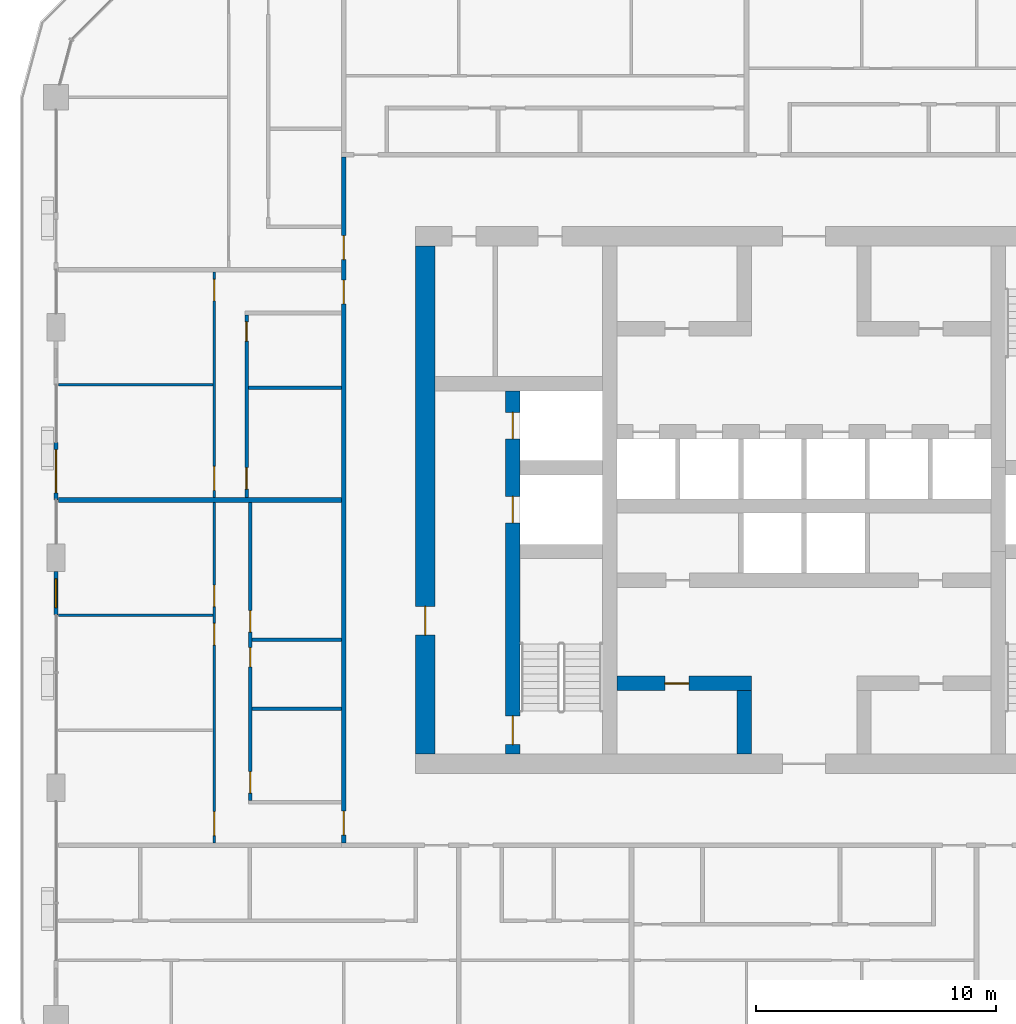
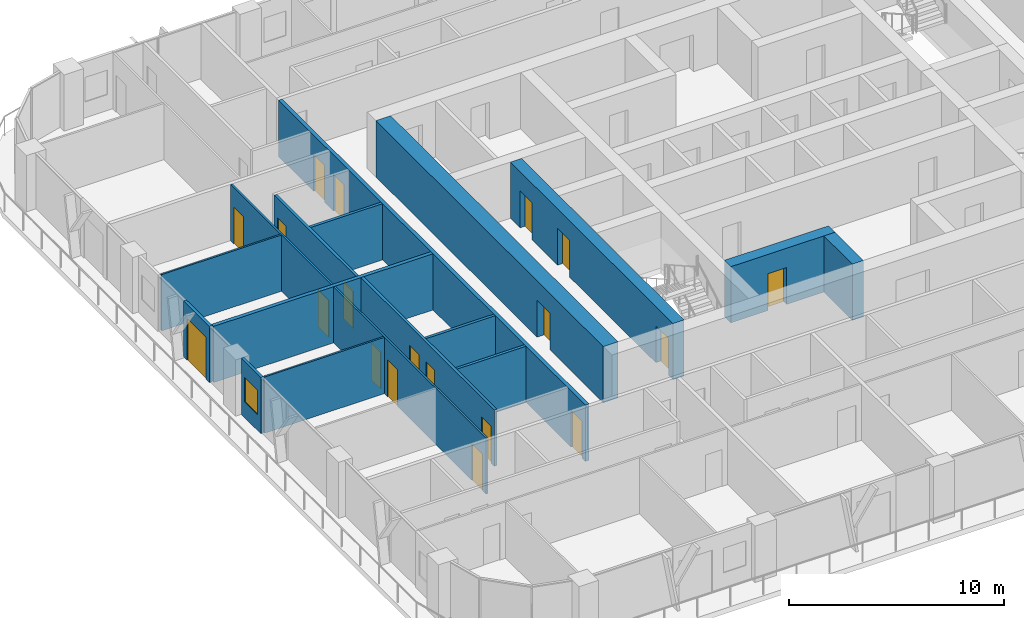
# One storey, part 10 of 22: 19 doors, 17 walls, 1 window, 20 openings.
"""IFC4 building model written with IfcOpenShell, lengths in metres."""

from ifc_helpers import new_model, si_unit, direction, frame, frame_2d, origin, place, context, subcontext, project, spatial, rectangle, extrude, material, layer, layer_set, type_object, element, fill, save


model = new_model("IFC4")

# Units and contexts
model_context = context("Model", 3, precision=1e-05, world=origin(), true_north=direction((0.0, 1.0)))
body_context = subcontext(model_context, "Body", "Model", "MODEL_VIEW")
ifc_project = project(units=[si_unit("LENGTHUNIT", "METRE"), si_unit("AREAUNIT", "SQUARE_METRE"), si_unit("VOLUMEUNIT", "CUBIC_METRE"), si_unit("PLANEANGLEUNIT", "RADIAN"), si_unit("MASSUNIT", "GRAM", prefix="KILO")], contexts=[model_context])

# Site, building, storey
site_placement = place(None, origin())
site = spatial("IfcSite", under=ifc_project, at=site_placement, CompositionType="ELEMENT")
building_placement = place(site_placement, origin())
building = spatial("IfcBuilding", under=site, at=building_placement, Name="Madar Terraces", CompositionType="ELEMENT")
storey_placement = place(building_placement, frame((0.0, 0.0, 163.0)))
storey = spatial("IfcBuildingStorey", under=building, at=storey_placement, Name="L42", CompositionType="ELEMENT", Elevation=163.0)

# Wall, openings, doors
ifc_material_1 = material(Name="Concrete C70/85", Category="concrete")
ifc_layer_1 = layer(ifc_material_1, 0.60009765625)
ifc_layer_set_1 = layer_set([ifc_layer_1], Name="Concrete C70/85 (CIW3 RC wall 600)")
wall_type_1 = type_object("IfcWallType", Name="CIW3 RC wall 600", PredefinedType="SHEAR", material=ifc_layer_set_1)
wall_1_placement = place(storey_placement, frame((19.050048828125, 15.800048828125, 0.0), z_axis=(0.0, 0.0, 1.0), x_axis=(0.0, 1.0, 0.0)))
wall_1 = element("IfcWall", 1, at=wall_1_placement, inside=storey, type_object=wall_type_1, Name="CORE SHAFT WALL", PredefinedType="SHEAR", context=body_context, shape_type="SweptSolid", body=[
    extrude(rectangle(XDim=15.14990234375, YDim=0.60009765625, at=frame_2d((7.574951171875, 0.0))), origin(), (0.0, 0.0, 1.0), 3.199951171875),
])
opening_1_placement = place(wall_1_placement, frame((9.64990234375, 0.0, 0.0)))
opening_1 = element("IfcOpeningElement", 2, at=opening_1_placement, cuts=wall_1, Name="Opening LD", PredefinedType="OPENING", context=body_context, shape_type="SweptSolid", body=[
    extrude(rectangle(XDim=1.10009765625, YDim=2.10009765625, at=frame_2d((0.550048828125, 1.050048828125))), frame((0.0, 0.31005859375, 0.0), z_axis=(0.0, -1.0, 0.0), x_axis=(1.0, 0.0, 0.0)), (0.0, 0.0, 1.0), 0.6201171875),
])
opening_2_placement = place(wall_1_placement, frame((13.14990234375, 0.0, 0.0)))
opening_2 = element("IfcOpeningElement", 3, at=opening_2_placement, cuts=wall_1, Name="Opening LD", PredefinedType="OPENING", context=body_context, shape_type="SweptSolid", body=[
    extrude(rectangle(XDim=1.10009765625, YDim=2.10009765625, at=frame_2d((0.550048828125, 1.050048828125))), frame((0.0, 0.31005859375, 0.0), z_axis=(0.0, -1.0, 0.0), x_axis=(1.0, 0.0, 0.0)), (0.0, 0.0, 1.0), 0.6201171875),
])
opening_3_placement = place(wall_1_placement, frame((0.39990234375, 0.0, 0.0)))
opening_3 = element("IfcOpeningElement", 4, at=opening_3_placement, cuts=wall_1, Name="Opening SD1", PredefinedType="OPENING", context=body_context, shape_type="SweptSolid", body=[
    extrude(rectangle(XDim=1.199951171875, YDim=2.10009765625, at=frame_2d((0.60009765625, 1.050048828125))), frame((0.0, 0.31005859375, 0.0), z_axis=(0.0, -1.0, 0.0), x_axis=(1.0, 0.0, 0.0)), (0.0, 0.0, 1.0), 0.6201171875),
])
ifc_material_2 = material(Name="Stainless steel panel", Category="steel")
door_type_1 = type_object("IfcDoorType", Name="Lift landing door 1100 x 2100", OperationType="DOUBLE_DOOR_SLIDING", PredefinedType="DOOR", material=ifc_material_2)
door_1_placement = place(opening_1_placement, origin())
door_1 = element("IfcDoor", 5, at=door_1_placement, inside=storey, type_object=door_type_1, Name="LIFT LANDING DOOR", OperationType="DOUBLE_DOOR_SLIDING", OverallHeight=2.10009765625, OverallWidth=1.10009765625, PredefinedType="DOOR", context=body_context, shape_type="SweptSolid", body=[
    extrude(rectangle(XDim=1.10009765625, YDim=2.10009765625, at=frame_2d((0.550048828125, 1.050048828125))), frame((0.0, 0.02490234375, 0.0), z_axis=(0.0, -1.0, 0.0), x_axis=(1.0, 0.0, 0.0)), (0.0, 0.0, 1.0), 0.050048828125),
])
fill(opening_1, door_1)
door_2_placement = place(opening_2_placement, origin())
door_2 = element("IfcDoor", 6, at=door_2_placement, inside=storey, type_object=door_type_1, Name="LIFT LANDING DOOR", OperationType="DOUBLE_DOOR_SLIDING", OverallHeight=2.10009765625, OverallWidth=1.10009765625, PredefinedType="DOOR", context=body_context, shape_type="SweptSolid", body=[
    extrude(rectangle(XDim=1.10009765625, YDim=2.10009765625, at=frame_2d((0.550048828125, 1.050048828125))), frame((0.0, 0.02490234375, 0.0), z_axis=(0.0, -1.0, 0.0), x_axis=(1.0, 0.0, 0.0)), (0.0, 0.0, 1.0), 0.050048828125),
])
fill(opening_2, door_2)
ifc_material_3 = material(Name="Steel door leaf", Category="steel")
door_type_2 = type_object("IfcDoorType", Name="Stair door 1200 x 2100", OperationType="NOTDEFINED", PredefinedType="DOOR", material=ifc_material_3)
door_3_placement = place(opening_3_placement, frame((1.199951171875, 0.0, 0.0), z_axis=(0.0, 0.0, 1.0), x_axis=(-1.0, 0.0, 0.0)))
door_3 = element("IfcDoor", 7, at=door_3_placement, inside=storey, type_object=door_type_2, Name="STAIR DOOR", OperationType="SINGLE_SWING_RIGHT", OverallHeight=2.10009765625, OverallWidth=1.199951171875, PredefinedType="DOOR", context=body_context, shape_type="SweptSolid", body=[
    extrude(rectangle(XDim=1.199951171875, YDim=2.10009765625, at=frame_2d((0.60009765625, 1.050048828125))), frame((0.0, 0.02490234375, 0.0), z_axis=(0.0, -1.0, 0.0), x_axis=(1.0, 0.0, 0.0)), (0.0, 0.0, 1.0), 0.050048828125),
])
fill(opening_3, door_3)

# Wall, opening, door
wall_2_placement = place(storey_placement, frame((23.39990234375, 18.75, 0.0), z_axis=(0.0, 0.0, 1.0), x_axis=(1.0, 0.0, 0.0)))
wall_2 = element("IfcWall", 8, at=wall_2_placement, inside=storey, type_object=wall_type_1, Name="CORE SHAFT WALL", PredefinedType="SHEAR", context=body_context, shape_type="SweptSolid", body=[
    extrude(rectangle(XDim=5.60009765625, YDim=0.60009765625, at=frame_2d((2.800048828125, 0.0))), origin(), (0.0, 0.0, 1.0), 3.199951171875),
])
opening_4_placement = place(wall_2_placement, frame((2.0, 0.0, 0.0)))
opening_4 = element("IfcOpeningElement", 9, at=opening_4_placement, cuts=wall_2, Name="Opening KD2", PredefinedType="OPENING", context=body_context, shape_type="SweptSolid", body=[
    extrude(rectangle(XDim=1.0, YDim=2.10009765625, at=frame_2d((0.5, 1.050048828125))), frame((0.0, 0.31005859375, 0.0), z_axis=(0.0, -1.0, 0.0), x_axis=(1.0, 0.0, 0.0)), (0.0, 0.0, 1.0), 0.6201171875),
])
ifc_material_4 = material(Name="Steel door leaf", Category="steel")
door_type_3 = type_object("IfcDoorType", Name="Service room door 1000 x 2100", OperationType="NOTDEFINED", PredefinedType="DOOR", material=ifc_material_4)
door_4_placement = place(opening_4_placement, origin())
door_4 = element("IfcDoor", 10, at=door_4_placement, inside=storey, type_object=door_type_3, Name="SERVICE ROOM DOOR", OperationType="SINGLE_SWING_LEFT", OverallHeight=2.10009765625, OverallWidth=1.0, PredefinedType="DOOR", context=body_context, shape_type="SweptSolid", body=[
    extrude(rectangle(XDim=1.0, YDim=2.10009765625, at=frame_2d((0.5, 1.050048828125))), frame((0.0, 0.02490234375, 0.0), z_axis=(0.0, -1.0, 0.0), x_axis=(1.0, 0.0, 0.0)), (0.0, 0.0, 1.0), 0.050048828125),
])
fill(opening_4, door_4)

# Wall
wall_3_placement = place(storey_placement, frame((28.699951171875, 15.800048828125, 0.0), z_axis=(0.0, 0.0, 1.0), x_axis=(0.0, 1.0, 0.0)))
element("IfcWall", 11, at=wall_3_placement, inside=storey, type_object=wall_type_1, Name="CORE SHAFT WALL", PredefinedType="SHEAR", context=body_context, shape_type="SweptSolid", body=[
    extrude(rectangle(XDim=2.64990234375, YDim=0.60009765625, at=frame_2d((1.324951171875, 0.0))), origin(), (0.0, 0.0, 1.0), 3.199951171875),
])

# Wall, opening, door
ifc_material_5 = material(Name="Concrete C70/85", Category="concrete")
ifc_layer_2 = layer(ifc_material_5, 0.800048828125)
ifc_layer_set_2 = layer_set([ifc_layer_2], Name="Concrete C70/85 (CRW3 RC wall 800)")
wall_type_2 = type_object("IfcWallType", Name="CRW3 RC wall 800", PredefinedType="SHEAR", material=ifc_layer_set_2)
wall_4_placement = place(storey_placement, frame((15.39990234375, 15.800048828125, 0.0), z_axis=(0.0, 0.0, 1.0), x_axis=(0.0, 1.0, 0.0)))
wall_4 = element("IfcWall", 12, at=wall_4_placement, inside=storey, type_object=wall_type_2, Name="CORE OUTER WALL", PredefinedType="SHEAR", context=body_context, shape_type="SweptSolid", body=[
    extrude(rectangle(XDim=21.199951171875, YDim=0.800048828125, at=frame_2d((10.60009765625, 0.0))), origin(), (0.0, 0.0, 1.0), 3.199951171875),
])
opening_5_placement = place(wall_4_placement, frame((4.9599609375, 0.0, 0.0)))
opening_5 = element("IfcOpeningElement", 13, at=opening_5_placement, cuts=wall_4, Name="Opening SD1", PredefinedType="OPENING", context=body_context, shape_type="SweptSolid", body=[
    extrude(rectangle(XDim=1.199951171875, YDim=2.10009765625, at=frame_2d((0.60009765625, 1.050048828125))), frame((0.0, 0.409912109375, 0.0), z_axis=(0.0, -1.0, 0.0), x_axis=(1.0, 0.0, 0.0)), (0.0, 0.0, 1.0), 0.820068359375),
])
door_5_placement = place(opening_5_placement, frame((1.199951171875, 0.0, 0.0), z_axis=(0.0, 0.0, 1.0), x_axis=(-1.0, 0.0, 0.0)))
door_5 = element("IfcDoor", 14, at=door_5_placement, inside=storey, type_object=door_type_2, Name="STAIR DOOR", OperationType="SINGLE_SWING_LEFT", OverallHeight=2.10009765625, OverallWidth=1.199951171875, PredefinedType="DOOR", context=body_context, shape_type="SweptSolid", body=[
    extrude(rectangle(XDim=1.199951171875, YDim=2.10009765625, at=frame_2d((0.60009765625, 1.050048828125))), frame((0.0, 0.02490234375, 0.0), z_axis=(0.0, -1.0, 0.0), x_axis=(1.0, 0.0, 0.0)), (0.0, 0.0, 1.0), 0.050048828125),
])
fill(opening_5, door_5)

ifc_material_6 = material(Name="Aluminium composite panel, black, over insulated backing", Category="aluminium")
ifc_layer_3 = layer(ifc_material_6, 0.14990234375)
ifc_layer_set_3 = layer_set([ifc_layer_3], Name="Facade bay panel 150")
wall_type_3 = type_object("IfcWallType", Name="Facade bay panel 150", PredefinedType="SOLIDWALL", material=ifc_layer_set_3)
wall_5_placement = place(storey_placement, frame((0.0, 28.800048828125, 0.0), z_axis=(0.0, 0.0, 1.0), x_axis=(0.0, -1.0, 0.0)))
wall_5 = element("IfcWall", 15, at=wall_5_placement, inside=storey, type_object=wall_type_3, Name="Facade bay panel", PredefinedType="SOLIDWALL", context=body_context, shape_type="SweptSolid", body=[
    extrude(rectangle(XDim=2.400146484375, YDim=0.14990234375, at=frame_2d((1.2001953125, 0.0))), origin(), (0.0, 0.0, 1.0), 3.199951171875),
])
opening_6_placement = place(wall_5_placement, frame((0.300048828125, 0.0, 0.0)))
opening_6 = element("IfcOpeningElement", 16, at=opening_6_placement, cuts=wall_5, Name="Opening ED1", PredefinedType="OPENING", context=body_context, shape_type="SweptSolid", body=[
    extrude(rectangle(XDim=1.800048828125, YDim=2.39990234375, at=frame_2d((0.89990234375, 1.199951171875))), frame((0.0, 0.0849609375, 0.0), z_axis=(0.0, -1.0, 0.0), x_axis=(1.0, 0.0, 0.0)), (0.0, 0.0, 1.0), 0.169921875),
])
ifc_material_7 = material(Name="Glass, clear, with black aluminium frame", Category="aluminium")
door_type_4 = type_object("IfcDoorType", Name="Balcony and terrace sliding door 1800 x 2400", OperationType="SLIDING_TO_LEFT", PredefinedType="DOOR", material=ifc_material_7)
door_6_placement = place(opening_6_placement, origin())
door_6 = element("IfcDoor", 17, at=door_6_placement, inside=storey, type_object=door_type_4, Name="Balcony door", OperationType="SLIDING_TO_RIGHT", OverallHeight=2.39990234375, OverallWidth=1.800048828125, PredefinedType="DOOR", context=body_context, shape_type="SweptSolid", body=[
    extrude(rectangle(XDim=1.800048828125, YDim=2.39990234375, at=frame_2d((0.89990234375, 1.199951171875))), frame((0.0, 0.02490234375, 0.0), z_axis=(0.0, -1.0, 0.0), x_axis=(1.0, 0.0, 0.0)), (0.0, 0.0, 1.0), 0.050048828125),
])
fill(opening_6, door_6)

# Wall, opening, window
wall_6_placement = place(storey_placement, frame((0.0, 23.425048828125, 0.0), z_axis=(0.0, 0.0, 1.0), x_axis=(0.0, -1.0, 0.0)))
wall_6 = element("IfcWall", 18, at=wall_6_placement, inside=storey, type_object=wall_type_3, Name="Facade bay panel", PredefinedType="SOLIDWALL", context=body_context, shape_type="SweptSolid", body=[
    extrude(rectangle(XDim=1.824951171875, YDim=0.14990234375, at=frame_2d((0.91259765625, 0.0))), origin(), (0.0, 0.0, 1.0), 3.199951171875),
])
opening_7_placement = place(wall_6_placement, frame((0.3125, 0.0, 0.89990234375)))
opening_7 = element("IfcOpeningElement", 19, at=opening_7_placement, cuts=wall_6, Name="Opening W1", PredefinedType="OPENING", context=body_context, shape_type="SweptSolid", body=[
    extrude(rectangle(XDim=1.199951171875, YDim=1.39990234375, at=frame_2d((0.60009765625, 0.699951171875))), frame((0.0, 0.0849609375, 0.0), z_axis=(0.0, -1.0, 0.0), x_axis=(1.0, 0.0, 0.0)), (0.0, 0.0, 1.0), 0.169921875),
])
ifc_material_8 = material(Name="Glass, clear, with black aluminium frame", Category="aluminium")
window_type = type_object("IfcWindowType", Name="Vent window 1200 x 1400", PartitioningType="SINGLE_PANEL", PredefinedType="WINDOW", material=ifc_material_8)
window_placement = place(opening_7_placement, origin())
window = element("IfcWindow", 20, at=window_placement, inside=storey, type_object=window_type, Name="Operable vent window", OverallHeight=1.39990234375, OverallWidth=1.199951171875, PartitioningType="SINGLE_PANEL", PredefinedType="WINDOW", context=body_context, shape_type="SweptSolid", body=[
    extrude(rectangle(XDim=1.199951171875, YDim=1.39990234375, at=frame_2d((0.60009765625, 0.699951171875))), frame((0.0, 0.030029296875, 0.0), z_axis=(0.0, -1.0, 0.0), x_axis=(1.0, 0.0, 0.0)), (0.0, 0.0, 1.0), 0.06005859375),
])
fill(opening_7, window)

# Wall
ifc_material_9 = material(Name="Gypsum board on steel studs", Category="steel")
ifc_layer_4 = layer(ifc_material_9, 0.10009765625)
ifc_layer_set_4 = layer_set([ifc_layer_4], Name="Flat partition 100")
wall_type_4 = type_object("IfcWallType", Name="Flat partition 100", PredefinedType="PARTITIONING", material=ifc_layer_set_4)
wall_7_placement = place(storey_placement, frame((6.550048828125, 31.199951171875, 0.0), z_axis=(0.0, 0.0, 1.0), x_axis=(-1.0, 0.0, 0.0)))
element("IfcWall", 21, at=wall_7_placement, inside=storey, type_object=wall_type_4, Name="Flat partition 100", PredefinedType="PARTITIONING", context=body_context, shape_type="SweptSolid", body=[
    extrude(rectangle(XDim=6.449951171875, YDim=0.10009765625, at=frame_2d((3.22509765625, 0.0))), origin(), (0.0, 0.0, 1.0), 3.199951171875),
])

# Wall, openings, doors
wall_8_placement = place(storey_placement, frame((6.60009765625, 26.5, 0.0), z_axis=(0.0, 0.0, 1.0), x_axis=(0.0, 1.0, 0.0)))
wall_8 = element("IfcWall", 22, at=wall_8_placement, inside=storey, type_object=wall_type_4, Name="Flat partition 100", PredefinedType="PARTITIONING", context=body_context, shape_type="SweptSolid", body=[
    extrude(rectangle(XDim=9.39990234375, YDim=0.10009765625, at=frame_2d((4.699951171875, 0.0))), origin(), (0.0, 0.0, 1.0), 3.199951171875),
])
opening_8_placement = place(wall_8_placement, frame((8.199951171875, 0.0, 0.0)))
opening_8 = element("IfcOpeningElement", 23, at=opening_8_placement, cuts=wall_8, Name="Opening D2", PredefinedType="OPENING", context=body_context, shape_type="SweptSolid", body=[
    extrude(rectangle(XDim=0.89990234375, YDim=2.10009765625, at=frame_2d((0.449951171875, 1.050048828125))), frame((0.0, 0.06005859375, 0.0), z_axis=(0.0, -1.0, 0.0), x_axis=(1.0, 0.0, 0.0)), (0.0, 0.0, 1.0), 0.1201171875),
])
opening_9_placement = place(wall_8_placement, frame((0.300048828125, 0.0, 0.0)))
opening_9 = element("IfcOpeningElement", 24, at=opening_9_placement, cuts=wall_8, Name="Opening D3", PredefinedType="OPENING", context=body_context, shape_type="SweptSolid", body=[
    extrude(rectangle(XDim=1.0, YDim=2.10009765625, at=frame_2d((0.5, 1.050048828125))), frame((0.0, 0.06005859375, 0.0), z_axis=(0.0, -1.0, 0.0), x_axis=(1.0, 0.0, 0.0)), (0.0, 0.0, 1.0), 0.1201171875),
])
ifc_material_10 = material(Name="Timber door leaf", Category="wood")
door_type_5 = type_object("IfcDoorType", Name="Flat living room door 1000", OperationType="NOTDEFINED", PredefinedType="DOOR", material=ifc_material_10)
door_7_placement = place(opening_9_placement, origin())
door_7 = element("IfcDoor", 25, at=door_7_placement, inside=storey, type_object=door_type_5, Name="Flat living room door 1000", OperationType="SINGLE_SWING_LEFT", OverallHeight=2.10009765625, OverallWidth=1.0, PredefinedType="DOOR", context=body_context, shape_type="SweptSolid", body=[
    extrude(rectangle(XDim=1.0, YDim=2.10009765625, at=frame_2d((0.5, 1.050048828125))), frame((0.0, 0.02490234375, 0.0), z_axis=(0.0, -1.0, 0.0), x_axis=(1.0, 0.0, 0.0)), (0.0, 0.0, 1.0), 0.050048828125),
])
fill(opening_9, door_7)
ifc_material_11 = material(Name="Timber door leaf", Category="wood")
door_type_6 = type_object("IfcDoorType", Name="Flat room door 900", OperationType="NOTDEFINED", PredefinedType="DOOR", material=ifc_material_11)
door_8_placement = place(opening_8_placement, origin())
door_8 = element("IfcDoor", 26, at=door_8_placement, inside=storey, type_object=door_type_6, Name="Flat room door 900", OperationType="SINGLE_SWING_RIGHT", OverallHeight=2.10009765625, OverallWidth=0.89990234375, PredefinedType="DOOR", context=body_context, shape_type="SweptSolid", body=[
    extrude(rectangle(XDim=0.89990234375, YDim=2.10009765625, at=frame_2d((0.449951171875, 1.050048828125))), frame((0.0, 0.02490234375, 0.0), z_axis=(0.0, -1.0, 0.0), x_axis=(1.0, 0.0, 0.0)), (0.0, 0.0, 1.0), 0.050048828125),
])
fill(opening_8, door_8)

# Wall
wall_9_placement = place(storey_placement, frame((6.550048828125, 21.60009765625, 0.0), z_axis=(0.0, 0.0, 1.0), x_axis=(-1.0, 0.0, 0.0)))
element("IfcWall", 27, at=wall_9_placement, inside=storey, type_object=wall_type_4, Name="Flat partition 100", PredefinedType="PARTITIONING", context=body_context, shape_type="SweptSolid", body=[
    extrude(rectangle(XDim=6.449951171875, YDim=0.10009765625, at=frame_2d((3.22509765625, 0.0))), origin(), (0.0, 0.0, 1.0), 3.199951171875),
])

# Wall, openings, doors
wall_10_placement = place(storey_placement, frame((6.60009765625, 12.10009765625, 0.0), z_axis=(0.0, 0.0, 1.0), x_axis=(0.0, 1.0, 0.0)))
wall_10 = element("IfcWall", 28, at=wall_10_placement, inside=storey, type_object=wall_type_4, Name="Flat partition 100", PredefinedType="PARTITIONING", context=body_context, shape_type="SweptSolid", body=[
    extrude(rectangle(XDim=14.199951171875, YDim=0.10009765625, at=frame_2d((7.10009765625, 0.0))), origin(), (0.0, 0.0, 1.0), 3.199951171875),
])
opening_10_placement = place(wall_10_placement, frame((0.300048828125, 0.0, 0.0)))
opening_10 = element("IfcOpeningElement", 29, at=opening_10_placement, cuts=wall_10, Name="Opening D3", PredefinedType="OPENING", context=body_context, shape_type="SweptSolid", body=[
    extrude(rectangle(XDim=1.0, YDim=2.10009765625, at=frame_2d((0.5, 1.050048828125))), frame((0.0, 0.06005859375, 0.0), z_axis=(0.0, -1.0, 0.0), x_axis=(1.0, 0.0, 0.0)), (0.0, 0.0, 1.0), 0.1201171875),
])
opening_11_placement = place(wall_10_placement, frame((8.25, 0.0, 0.0)))
opening_11 = element("IfcOpeningElement", 30, at=opening_11_placement, cuts=wall_10, Name="Opening D2", PredefinedType="OPENING", context=body_context, shape_type="SweptSolid", body=[
    extrude(rectangle(XDim=0.89990234375, YDim=2.10009765625, at=frame_2d((0.449951171875, 1.050048828125))), frame((0.0, 0.06005859375, 0.0), z_axis=(0.0, -1.0, 0.0), x_axis=(1.0, 0.0, 0.0)), (0.0, 0.0, 1.0), 0.1201171875),
])
opening_12_placement = place(wall_10_placement, frame((9.85009765625, 0.0, 0.0)))
opening_12 = element("IfcOpeningElement", 31, at=opening_12_placement, cuts=wall_10, Name="Opening D2", PredefinedType="OPENING", context=body_context, shape_type="SweptSolid", body=[
    extrude(rectangle(XDim=0.89990234375, YDim=2.10009765625, at=frame_2d((0.449951171875, 1.050048828125))), frame((0.0, 0.06005859375, 0.0), z_axis=(0.0, -1.0, 0.0), x_axis=(1.0, 0.0, 0.0)), (0.0, 0.0, 1.0), 0.1201171875),
])
door_9_placement = place(opening_10_placement, origin())
door_9 = element("IfcDoor", 32, at=door_9_placement, inside=storey, type_object=door_type_5, Name="Flat living room door 1000", OperationType="SINGLE_SWING_LEFT", OverallHeight=2.10009765625, OverallWidth=1.0, PredefinedType="DOOR", context=body_context, shape_type="SweptSolid", body=[
    extrude(rectangle(XDim=1.0, YDim=2.10009765625, at=frame_2d((0.5, 1.050048828125))), frame((0.0, 0.02490234375, 0.0), z_axis=(0.0, -1.0, 0.0), x_axis=(1.0, 0.0, 0.0)), (0.0, 0.0, 1.0), 0.050048828125),
])
fill(opening_10, door_9)
door_10_placement = place(opening_11_placement, origin())
door_10 = element("IfcDoor", 33, at=door_10_placement, inside=storey, type_object=door_type_6, Name="Flat room door 900", OperationType="SINGLE_SWING_RIGHT", OverallHeight=2.10009765625, OverallWidth=0.89990234375, PredefinedType="DOOR", context=body_context, shape_type="SweptSolid", body=[
    extrude(rectangle(XDim=0.89990234375, YDim=2.10009765625, at=frame_2d((0.449951171875, 1.050048828125))), frame((0.0, 0.02490234375, 0.0), z_axis=(0.0, -1.0, 0.0), x_axis=(1.0, 0.0, 0.0)), (0.0, 0.0, 1.0), 0.050048828125),
])
fill(opening_11, door_10)
door_11_placement = place(opening_12_placement, origin())
door_11 = element("IfcDoor", 34, at=door_11_placement, inside=storey, type_object=door_type_6, Name="Flat room door 900", OperationType="SINGLE_SWING_LEFT", OverallHeight=2.10009765625, OverallWidth=0.89990234375, PredefinedType="DOOR", context=body_context, shape_type="SweptSolid", body=[
    extrude(rectangle(XDim=0.89990234375, YDim=2.10009765625, at=frame_2d((0.449951171875, 1.050048828125))), frame((0.0, 0.02490234375, 0.0), z_axis=(0.0, -1.0, 0.0), x_axis=(1.0, 0.0, 0.0)), (0.0, 0.0, 1.0), 0.050048828125),
])
fill(opening_12, door_11)

ifc_material_12 = material(Name="Lightweight blockwork", Category="masonry")
ifc_layer_5 = layer(ifc_material_12, 0.199951171875)
ifc_layer_set_5 = layer_set([ifc_layer_5], Name="Flat party and entrance wall 200")
wall_type_5 = type_object("IfcWallType", Name="Flat party and entrance wall 200", PredefinedType="PARTITIONING", material=ifc_layer_set_5)
wall_11_placement = place(storey_placement, frame((12.0, 12.10009765625, 0.0), z_axis=(0.0, 0.0, 1.0), x_axis=(0.0, 1.0, 0.0)))
wall_11 = element("IfcWall", 35, at=wall_11_placement, inside=storey, type_object=wall_type_5, Name="Flat party and entrance wall 200", PredefinedType="PARTITIONING", context=body_context, shape_type="SweptSolid", body=[
    extrude(rectangle(XDim=28.599853515625, YDim=0.199951171875, at=frame_2d((14.2998046875, 0.0))), origin(), (0.0, 0.0, 1.0), 3.199951171875),
])
opening_13_placement = place(wall_11_placement, frame((24.324951171875, 0.0, 0.0)))
opening_13 = element("IfcOpeningElement", 36, at=opening_13_placement, cuts=wall_11, Name="Opening D1", PredefinedType="OPENING", context=body_context, shape_type="SweptSolid", body=[
    extrude(rectangle(XDim=1.0, YDim=2.10009765625, at=frame_2d((0.5, 1.050048828125))), frame((0.0, 0.10986328125, 0.0), z_axis=(0.0, -1.0, 0.0), x_axis=(1.0, 0.0, 0.0)), (0.0, 0.0, 1.0), 0.219970703125),
])
opening_14_placement = place(wall_11_placement, frame((22.47509765625, 0.0, 0.0)))
opening_14 = element("IfcOpeningElement", 37, at=opening_14_placement, cuts=wall_11, Name="Opening D1", PredefinedType="OPENING", context=body_context, shape_type="SweptSolid", body=[
    extrude(rectangle(XDim=1.0, YDim=2.10009765625, at=frame_2d((0.5, 1.050048828125))), frame((0.0, 0.10986328125, 0.0), z_axis=(0.0, -1.0, 0.0), x_axis=(1.0, 0.0, 0.0)), (0.0, 0.0, 1.0), 0.219970703125),
])
opening_15_placement = place(wall_11_placement, frame((0.324951171875, 0.0, 0.0)))
opening_15 = element("IfcOpeningElement", 38, at=opening_15_placement, cuts=wall_11, Name="Opening D1", PredefinedType="OPENING", context=body_context, shape_type="SweptSolid", body=[
    extrude(rectangle(XDim=1.0, YDim=2.10009765625, at=frame_2d((0.5, 1.050048828125))), frame((0.0, 0.10986328125, 0.0), z_axis=(0.0, -1.0, 0.0), x_axis=(1.0, 0.0, 0.0)), (0.0, 0.0, 1.0), 0.219970703125),
])
ifc_material_13 = material(Name="Timber fire door leaf", Category="wood")
door_type_7 = type_object("IfcDoorType", Name="Flat entrance door 1000 FD30S", OperationType="NOTDEFINED", PredefinedType="DOOR", material=ifc_material_13)
door_12_placement = place(opening_13_placement, origin())
door_12 = element("IfcDoor", 39, at=door_12_placement, inside=storey, type_object=door_type_7, Name="Flat entrance door 1000 FD30S", OperationType="SINGLE_SWING_LEFT", OverallHeight=2.10009765625, OverallWidth=1.0, PredefinedType="DOOR", context=body_context, shape_type="SweptSolid", body=[
    extrude(rectangle(XDim=1.0, YDim=2.10009765625, at=frame_2d((0.5, 1.050048828125))), frame((0.0, 0.02490234375, 0.0), z_axis=(0.0, -1.0, 0.0), x_axis=(1.0, 0.0, 0.0)), (0.0, 0.0, 1.0), 0.050048828125),
])
fill(opening_13, door_12)
door_13_placement = place(opening_14_placement, origin())
door_13 = element("IfcDoor", 40, at=door_13_placement, inside=storey, type_object=door_type_7, Name="Flat entrance door 1000 FD30S", OperationType="SINGLE_SWING_RIGHT", OverallHeight=2.10009765625, OverallWidth=1.0, PredefinedType="DOOR", context=body_context, shape_type="SweptSolid", body=[
    extrude(rectangle(XDim=1.0, YDim=2.10009765625, at=frame_2d((0.5, 1.050048828125))), frame((0.0, 0.02490234375, 0.0), z_axis=(0.0, -1.0, 0.0), x_axis=(1.0, 0.0, 0.0)), (0.0, 0.0, 1.0), 0.050048828125),
])
fill(opening_14, door_13)
door_14_placement = place(opening_15_placement, origin())
door_14 = element("IfcDoor", 41, at=door_14_placement, inside=storey, type_object=door_type_7, Name="Flat entrance door 1000 FD30S", OperationType="SINGLE_SWING_LEFT", OverallHeight=2.10009765625, OverallWidth=1.0, PredefinedType="DOOR", context=body_context, shape_type="SweptSolid", body=[
    extrude(rectangle(XDim=1.0, YDim=2.10009765625, at=frame_2d((0.5, 1.050048828125))), frame((0.0, 0.02490234375, 0.0), z_axis=(0.0, -1.0, 0.0), x_axis=(1.0, 0.0, 0.0)), (0.0, 0.0, 1.0), 0.050048828125),
])
fill(opening_15, door_14)

# Walls
wall_12_placement = place(storey_placement, frame((0.10009765625, 26.39990234375, 0.0), z_axis=(0.0, 0.0, 1.0), x_axis=(1.0, 0.0, 0.0)))
element("IfcWall", 42, at=wall_12_placement, inside=storey, type_object=wall_type_5, Name="Flat party and entrance wall 200", PredefinedType="PARTITIONING", context=body_context, shape_type="SweptSolid", body=[
    extrude(rectangle(XDim=11.7998046875, YDim=0.199951171875, at=frame_2d((5.89990234375, 0.0))), origin(), (0.0, 0.0, 1.0), 3.199951171875),
])
ifc_material_14 = material(Name="Lightweight blockwork", Category="masonry")
ifc_layer_6 = layer(ifc_material_14, 0.14990234375)
ifc_layer_set_6 = layer_set([ifc_layer_6], Name="Flat wet-room partition 150")
wall_type_6 = type_object("IfcWallType", Name="Flat wet-room partition 150", PredefinedType="PARTITIONING", material=ifc_layer_set_6)
wall_13_placement = place(storey_placement, frame((11.89990234375, 31.074951171875, 0.0), z_axis=(0.0, 0.0, 1.0), x_axis=(-1.0, 0.0, 0.0)))
element("IfcWall", 43, at=wall_13_placement, inside=storey, type_object=wall_type_6, Name="Flat wet-room partition 150", PredefinedType="PARTITIONING", context=body_context, shape_type="SweptSolid", body=[
    extrude(rectangle(XDim=3.875, YDim=0.14990234375, at=frame_2d((1.9375, 0.0))), origin(), (0.0, 0.0, 1.0), 3.199951171875),
])

# Wall, openings, doors
wall_14_placement = place(storey_placement, frame((7.949951171875, 34.125, 0.0), z_axis=(0.0, 0.0, 1.0), x_axis=(0.0, -1.0, 0.0)))
wall_14 = element("IfcWall", 44, at=wall_14_placement, inside=storey, type_object=wall_type_6, Name="Flat wet-room partition 150", PredefinedType="PARTITIONING", context=body_context, shape_type="SweptSolid", body=[
    extrude(rectangle(XDim=7.625, YDim=0.14990234375, at=frame_2d((3.8125, 0.0))), origin(), (0.0, 0.0, 1.0), 3.199951171875),
])
opening_16_placement = place(wall_14_placement, frame((0.300048828125, 0.0, 0.0)))
opening_16 = element("IfcOpeningElement", 45, at=opening_16_placement, cuts=wall_14, Name="Opening D4", PredefinedType="OPENING", context=body_context, shape_type="SweptSolid", body=[
    extrude(rectangle(XDim=0.800048828125, YDim=2.10009765625, at=frame_2d((0.39990234375, 1.050048828125))), frame((0.0, 0.0849609375, 0.0), z_axis=(0.0, -1.0, 0.0), x_axis=(1.0, 0.0, 0.0)), (0.0, 0.0, 1.0), 0.169921875),
])
opening_17_placement = place(wall_14_placement, frame((6.375, 0.0, 0.0)))
opening_17 = element("IfcOpeningElement", 46, at=opening_17_placement, cuts=wall_14, Name="Opening D2", PredefinedType="OPENING", context=body_context, shape_type="SweptSolid", body=[
    extrude(rectangle(XDim=0.89990234375, YDim=2.10009765625, at=frame_2d((0.449951171875, 1.050048828125))), frame((0.0, 0.0849609375, 0.0), z_axis=(0.0, -1.0, 0.0), x_axis=(1.0, 0.0, 0.0)), (0.0, 0.0, 1.0), 0.169921875),
])
ifc_material_15 = material(Name="Timber door leaf", Category="wood")
door_type_8 = type_object("IfcDoorType", Name="Flat bathroom door 800", OperationType="NOTDEFINED", PredefinedType="DOOR", material=ifc_material_15)
door_15_placement = place(opening_16_placement, origin())
door_15 = element("IfcDoor", 47, at=door_15_placement, inside=storey, type_object=door_type_8, Name="Flat bathroom door 800", OperationType="SINGLE_SWING_LEFT", OverallHeight=2.10009765625, OverallWidth=0.800048828125, PredefinedType="DOOR", context=body_context, shape_type="SweptSolid", body=[
    extrude(rectangle(XDim=0.800048828125, YDim=2.10009765625, at=frame_2d((0.39990234375, 1.050048828125))), frame((0.0, 0.02490234375, 0.0), z_axis=(0.0, -1.0, 0.0), x_axis=(1.0, 0.0, 0.0)), (0.0, 0.0, 1.0), 0.050048828125),
])
fill(opening_16, door_15)
door_16_placement = place(opening_17_placement, origin())
door_16 = element("IfcDoor", 48, at=door_16_placement, inside=storey, type_object=door_type_6, Name="Flat room door 900", OperationType="SINGLE_SWING_RIGHT", OverallHeight=2.10009765625, OverallWidth=0.89990234375, PredefinedType="DOOR", context=body_context, shape_type="SweptSolid", body=[
    extrude(rectangle(XDim=0.89990234375, YDim=2.10009765625, at=frame_2d((0.449951171875, 1.050048828125))), frame((0.0, 0.02490234375, 0.0), z_axis=(0.0, -1.0, 0.0), x_axis=(1.0, 0.0, 0.0)), (0.0, 0.0, 1.0), 0.050048828125),
])
fill(opening_17, door_16)

# Walls
for number, where, z_axis, x_axis, name in (
    (49, (11.89990234375, 17.697998046875, 0.0), (0.0, 0.0, 1.0), (-1.0, 0.0, 0.0), "Flat wet-room partition 150"),
    (50, (11.89990234375, 20.5654296875, 0.0), (0.0, 0.0, 1.0), (-1.0, 0.0, 0.0), "Flat wet-room partition 150"),
):
    element("IfcWall", number, at=place(storey_placement, frame(where, z_axis=z_axis, x_axis=x_axis)), inside=storey, type_object=wall_type_6, Name=name, PredefinedType="PARTITIONING", context=body_context, shape_type="SweptSolid", body=[
        extrude(rectangle(XDim=3.724853515625, YDim=0.14990234375, at=frame_2d((1.8623046875, 0.0))), origin(), (0.0, 0.0, 1.0), 3.199951171875),
    ])

# Wall, openings, doors
wall_15_placement = place(storey_placement, frame((8.10009765625, 26.300048828125, 0.0), z_axis=(0.0, 0.0, 1.0), x_axis=(0.0, -1.0, 0.0)))
wall_15 = element("IfcWall", 51, at=wall_15_placement, inside=storey, type_object=wall_type_6, Name="Flat wet-room partition 150", PredefinedType="PARTITIONING", context=body_context, shape_type="SweptSolid", body=[
    extrude(rectangle(XDim=12.425048828125, YDim=0.14990234375, at=frame_2d((6.21240234375, 0.0))), origin(), (0.0, 0.0, 1.0), 3.199951171875),
])
opening_18_placement = place(wall_15_placement, frame((11.22509765625, 0.0, 0.0)))
opening_18 = element("IfcOpeningElement", 52, at=opening_18_placement, cuts=wall_15, Name="Opening D5", PredefinedType="OPENING", context=body_context, shape_type="SweptSolid", body=[
    extrude(rectangle(XDim=0.89990234375, YDim=2.10009765625, at=frame_2d((0.449951171875, 1.050048828125))), frame((0.0, 0.0849609375, 0.0), z_axis=(0.0, -1.0, 0.0), x_axis=(1.0, 0.0, 0.0)), (0.0, 0.0, 1.0), 0.169921875),
])
opening_19_placement = place(wall_15_placement, frame((6.0595703125, 0.0, 0.0)))
opening_19 = element("IfcOpeningElement", 53, at=opening_19_placement, cuts=wall_15, Name="Opening D4", PredefinedType="OPENING", context=body_context, shape_type="SweptSolid", body=[
    extrude(rectangle(XDim=0.800048828125, YDim=2.10009765625, at=frame_2d((0.39990234375, 1.050048828125))), frame((0.0, 0.0849609375, 0.0), z_axis=(0.0, -1.0, 0.0), x_axis=(1.0, 0.0, 0.0)), (0.0, 0.0, 1.0), 0.169921875),
])
opening_20_placement = place(wall_15_placement, frame((4.509521484375, 0.0, 0.0)))
opening_20 = element("IfcOpeningElement", 54, at=opening_20_placement, cuts=wall_15, Name="Opening D2", PredefinedType="OPENING", context=body_context, shape_type="SweptSolid", body=[
    extrude(rectangle(XDim=0.89990234375, YDim=2.10009765625, at=frame_2d((0.449951171875, 1.050048828125))), frame((0.0, 0.0849609375, 0.0), z_axis=(0.0, -1.0, 0.0), x_axis=(1.0, 0.0, 0.0)), (0.0, 0.0, 1.0), 0.169921875),
])
ifc_material_16 = material(Name="Timber door leaf", Category="wood")
door_type_9 = type_object("IfcDoorType", Name="Flat accessible bathroom door 900", OperationType="NOTDEFINED", PredefinedType="DOOR", material=ifc_material_16)
door_17_placement = place(opening_18_placement, origin())
door_17 = element("IfcDoor", 55, at=door_17_placement, inside=storey, type_object=door_type_9, Name="Flat accessible bathroom door 900", OperationType="SINGLE_SWING_RIGHT", OverallHeight=2.10009765625, OverallWidth=0.89990234375, PredefinedType="DOOR", context=body_context, shape_type="SweptSolid", body=[
    extrude(rectangle(XDim=0.89990234375, YDim=2.10009765625, at=frame_2d((0.449951171875, 1.050048828125))), frame((0.0, 0.02490234375, 0.0), z_axis=(0.0, -1.0, 0.0), x_axis=(1.0, 0.0, 0.0)), (0.0, 0.0, 1.0), 0.050048828125),
])
fill(opening_18, door_17)
door_18_placement = place(opening_19_placement, origin())
door_18 = element("IfcDoor", 56, at=door_18_placement, inside=storey, type_object=door_type_8, Name="Flat bathroom door 800", OperationType="SINGLE_SWING_LEFT", OverallHeight=2.10009765625, OverallWidth=0.800048828125, PredefinedType="DOOR", context=body_context, shape_type="SweptSolid", body=[
    extrude(rectangle(XDim=0.800048828125, YDim=2.10009765625, at=frame_2d((0.39990234375, 1.050048828125))), frame((0.0, 0.02490234375, 0.0), z_axis=(0.0, -1.0, 0.0), x_axis=(1.0, 0.0, 0.0)), (0.0, 0.0, 1.0), 0.050048828125),
])
fill(opening_19, door_18)
door_19_placement = place(opening_20_placement, origin())
door_19 = element("IfcDoor", 57, at=door_19_placement, inside=storey, type_object=door_type_6, Name="Flat room door 900", OperationType="SINGLE_SWING_RIGHT", OverallHeight=2.10009765625, OverallWidth=0.89990234375, PredefinedType="DOOR", context=body_context, shape_type="SweptSolid", body=[
    extrude(rectangle(XDim=0.89990234375, YDim=2.10009765625, at=frame_2d((0.449951171875, 1.050048828125))), frame((0.0, 0.02490234375, 0.0), z_axis=(0.0, -1.0, 0.0), x_axis=(1.0, 0.0, 0.0)), (0.0, 0.0, 1.0), 0.050048828125),
])
fill(opening_20, door_19)

save(model, "model.ifc")
